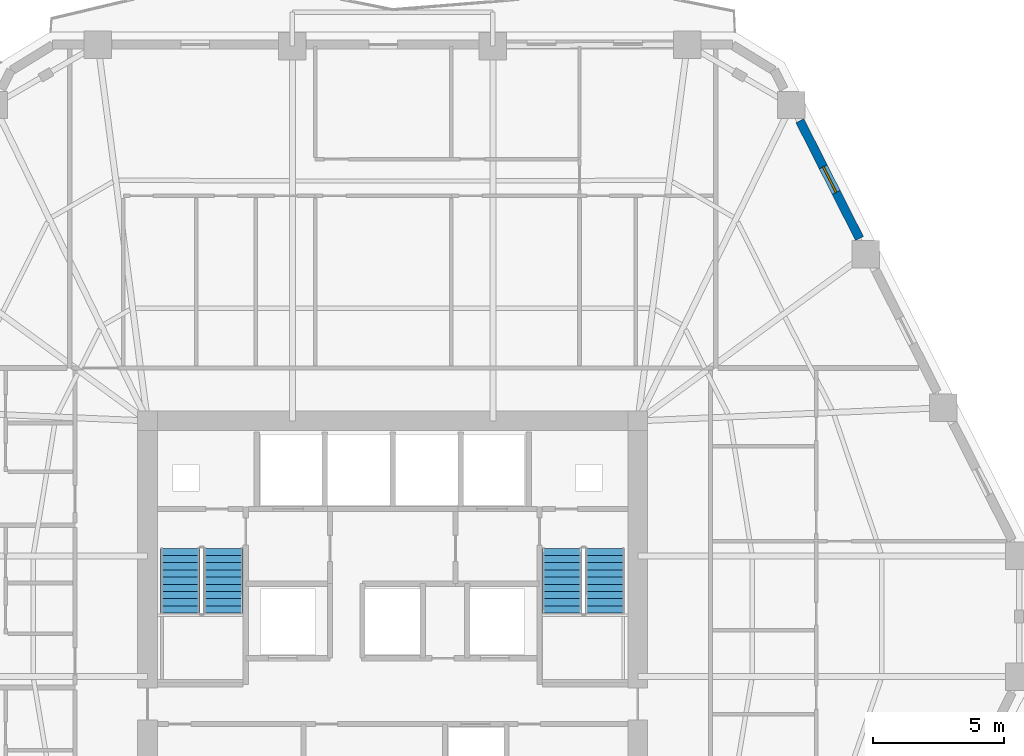
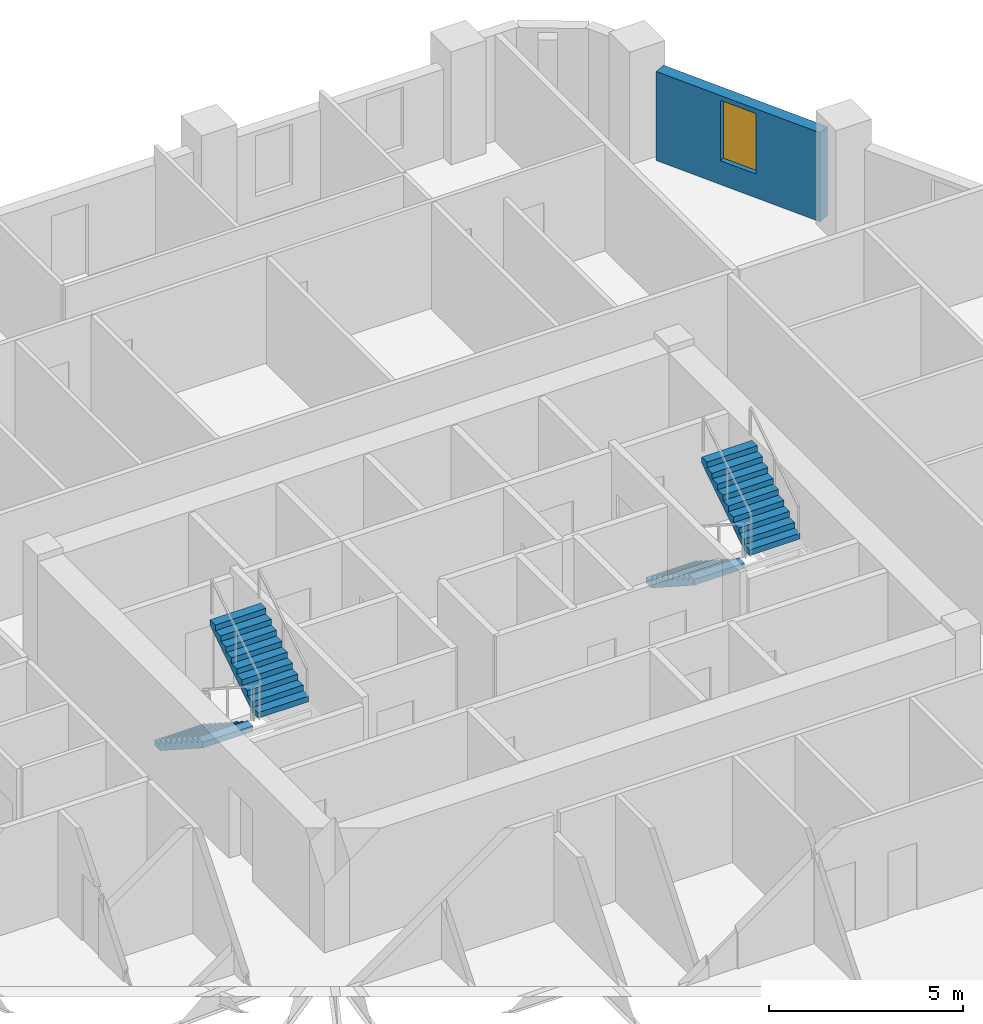
# One storey, part 8 of 10: 4 stair flights, 1 wall, 1 window, 1 opening, 2 elements without a shape of their own.
"""IFC4 building model written with IfcOpenShell, lengths in metres."""

import ifcopenshell
import ifcopenshell.guid

model = None  # the IFC model being written
_history = None  # IfcOwnerHistory: only IFC2X3 demands one
_inside = {}  # id of a spatial element -> (the spatial element, [elements in it])
_under = {}  # id of a project, library or spatial element -> (it, [spatial elements below it])
_declared = {}  # id of a project -> (the project, [libraries it declares])
_typed = {}  # id of a type object -> (the type object, [elements of that type])
_made_of = {}  # id of a material, layer set ... -> (it, [elements and type objects made of it])


def new_model(schema):
    """Start an empty IFC model of exactly this schema.

    Asked for "IFC4X3", IfcOpenShell would pick the latest addendum, in which some entities
    have other attributes; the version numbers below select the first issue.
    IFC2X3 requires an IfcOwnerHistory on every rooted entity: one is made here for all.
    """
    global model, _history
    if schema == "IFC4X3":
        model = ifcopenshell.file(schema_version=(4, 3, 0, 0))
    else:
        model = ifcopenshell.file(schema=schema)
    _inside.clear()
    _under.clear()
    _declared.clear()
    _typed.clear()
    _made_of.clear()
    _history = None
    if model.schema == "IFC2X3":
        org = make("IfcOrganization", Name="unknown")
        user = make(
            "IfcPersonAndOrganization",
            ThePerson=make("IfcPerson", FamilyName="unknown"),
            TheOrganization=org,
        )
        app = make(
            "IfcApplication",
            ApplicationDeveloper=org,
            Version="unknown",
            ApplicationFullName="unknown",
            ApplicationIdentifier="unknown",
        )
        _history = make(
            "IfcOwnerHistory",
            OwningUser=user,
            OwningApplication=app,
            ChangeAction="ADDED",
            CreationDate=0,
        )
    return model


def make(cls, **values):
    """One entity of the class cls with the attributes given. An attribute that is None is left unset."""
    return model.create_entity(
        cls, **{name: value for name, value in values.items() if value is not None}
    )


def rooted(cls, **values):
    """An entity with a GlobalId (a new one), such as an element, a storey or a relation."""
    return make(cls, GlobalId=ifcopenshell.guid.new(), OwnerHistory=_history, **values)


def si_unit(unit_type, name, prefix=None):
    """IfcSIUnit, for example si_unit("LENGTHUNIT", "METRE", prefix="MILLI")."""
    return make("IfcSIUnit", UnitType=unit_type, Prefix=prefix, Name=name)


def assignment(units):
    """IfcUnitAssignment: the units of a project."""
    return None if units is None else make("IfcUnitAssignment", Units=units)


def point(xyz):
    """IfcCartesianPoint."""
    return None if xyz is None else make("IfcCartesianPoint", Coordinates=xyz)


def direction(xyz):
    """IfcDirection."""
    return None if xyz is None else make("IfcDirection", DirectionRatios=xyz)


def frame(location, z_axis=None, x_axis=None):
    """IfcAxis2Placement3D, a coordinate frame: its origin and axes. An axis left out is left unset."""
    return make(
        "IfcAxis2Placement3D",
        Location=point(location),
        Axis=direction(z_axis),
        RefDirection=direction(x_axis),
    )


def frame_2d(location, x_axis=None):
    """IfcAxis2Placement2D, a coordinate frame in the plane: its origin and x axis."""
    return make(
        "IfcAxis2Placement2D", Location=point(location), RefDirection=direction(x_axis)
    )


def origin():
    """The frame at (0, 0, 0) with its axes left unset."""
    return frame((0.0, 0.0, 0.0))


def place(relative_to, where):
    """IfcLocalPlacement: puts the frame where relative to a parent placement (None: the world)."""
    return make(
        "IfcLocalPlacement", PlacementRelTo=relative_to, RelativePlacement=where
    )


def context(
    kind, dimensions, precision=None, world=None, true_north=None, identifier=None
):
    """IfcGeometricRepresentationContext, for example the 3D "Model" context."""
    return make(
        "IfcGeometricRepresentationContext",
        ContextIdentifier=identifier,
        ContextType=kind,
        CoordinateSpaceDimension=dimensions,
        Precision=precision,
        WorldCoordinateSystem=world,
        TrueNorth=true_north,
    )


def subcontext(parent, identifier, kind, view, scale=None):
    """IfcGeometricRepresentationSubContext, for example "Body" below "Model"."""
    return make(
        "IfcGeometricRepresentationSubContext",
        ContextIdentifier=identifier,
        ContextType=kind,
        ParentContext=parent,
        TargetScale=scale,
        TargetView=view,
    )


def project(units=None, contexts=None):
    """IfcProject with its units and contexts."""
    return rooted(
        "IfcProject",
        Name="project",
        RepresentationContexts=contexts,
        UnitsInContext=assignment(units),
    )


def spatial(cls, under=None, at=None, **own):
    """A site, building, storey or space (cls), placed at a placement, below another one or the project."""
    s = rooted(cls, ObjectPlacement=at, **own)
    if under is not None:
        _under.setdefault(under.id(), (under, []))[1].append(s)
    return s


def polyline(points):
    """IfcPolyline through the points."""
    return make("IfcPolyline", Points=[point(p) for p in points])


def profile(cls, at=None, kind="AREA", **sizes):
    """A parametric profile (cls). Its sizes go by their IFC names, for example OverallWidth=200.0."""
    return make(cls, ProfileType=kind, Position=at, **sizes)


def rectangle(**sizes):
    """IfcRectangleProfileDef."""
    return profile("IfcRectangleProfileDef", **sizes)


def outline(outer, holes=None, kind="AREA"):
    """IfcArbitraryClosedProfileDef: a profile drawn as a closed curve; with holes, ...WithVoids."""
    if holes is None:
        return make("IfcArbitraryClosedProfileDef", ProfileType=kind, OuterCurve=outer)
    return make(
        "IfcArbitraryProfileDefWithVoids",
        ProfileType=kind,
        OuterCurve=outer,
        InnerCurves=holes,
    )


def extrude(swept, where, along, depth):
    """IfcExtrudedAreaSolid: the profile swept, set in the frame where, extruded along a direction by depth."""
    return make(
        "IfcExtrudedAreaSolid",
        SweptArea=swept,
        Position=where,
        ExtrudedDirection=direction(along),
        Depth=depth,
    )


def shape(context_of_items, identifier, shape_type, items):
    """IfcShapeRepresentation: the items that make up one representation, for example the "Body"."""
    return make(
        "IfcShapeRepresentation",
        ContextOfItems=context_of_items,
        RepresentationIdentifier=identifier,
        RepresentationType=shape_type,
        Items=items,
    )


def material(Name=None, Category=None):
    """IfcMaterial."""
    return make("IfcMaterial", Name=Name, Category=Category)


def layer(
    of_material, thickness, ventilated=None, Name=None, Category=None, Priority=None
):
    """IfcMaterialLayer: one layer of a wall or slab, of a material (None: an air gap)."""
    return make(
        "IfcMaterialLayer",
        Material=of_material,
        LayerThickness=thickness,
        IsVentilated=ventilated,
        Name=Name,
        Category=Category,
        Priority=Priority,
    )


def layer_set(layers, Name=None):
    """IfcMaterialLayerSet."""
    return make("IfcMaterialLayerSet", MaterialLayers=layers, LayerSetName=Name)


def made_of(thing, what):
    """Note that an element or type object is made of a material, layer set ...; save() writes the relation."""
    if what is not None:
        _made_of.setdefault(what.id(), (what, []))[1].append(thing)
    return thing


def type_object(cls, material=None, **own):
    """A type object (cls), such as IfcWallType, which elements share."""
    return made_of(rooted(cls, **own), material)


def element(
    cls,
    number,
    at=None,
    inside=None,
    cuts=None,
    type_object=None,
    material=None,
    context=None,
    identifier="Body",
    shape_type=None,
    held_by="IfcProductDefinitionShape",
    body=None,
    shapes=None,
    **own,
):
    """One element of the class cls, such as IfcWall. Its Tag is "e" and its number.

    at: its placement. inside: the storey or other place that contains it. cuts: it is an
    opening in that element (IfcRelVoidsElement). A single representation is given by context,
    identifier, shape_type and body (its items); several are given by shapes. held_by: the class
    of the entity that holds the representations. save() writes the other relations.
    """
    e = rooted(cls, Tag="e%d" % number, ObjectPlacement=at, **own)
    if body is not None:
        shapes = [shape(context, identifier, shape_type, body)]
    if shapes is not None:
        e.Representation = make(held_by, Representations=shapes)
    if inside is not None:
        _inside.setdefault(inside.id(), (inside, []))[1].append(e)
    if cuts is not None:
        rooted(
            "IfcRelVoidsElement", RelatingBuildingElement=cuts, RelatedOpeningElement=e
        )
    if type_object is not None:
        _typed.setdefault(type_object.id(), (type_object, []))[1].append(e)
    return made_of(e, material)


def fill(opening, filler):
    """IfcRelFillsElement: the door or window that sits in an opening."""
    return rooted(
        "IfcRelFillsElement",
        RelatingOpeningElement=opening,
        RelatedBuildingElement=filler,
    )


def aggregate(whole, parts):
    """IfcRelAggregates: a whole, such as a stair, and the parts it consists of."""
    return rooted("IfcRelAggregates", RelatingObject=whole, RelatedObjects=parts)


def save(model, path):
    """Write the relations noted so far, then the file.

    IfcRelAggregates (storeys below a building ...), IfcRelContainedInSpatialStructure (elements
    in a storey), IfcRelDefinesByType, IfcRelAssociatesMaterial and IfcRelDeclares: one each for
    every whole, place, type object, material and project.
    """
    for whole, parts in _under.values():
        aggregate(whole, parts)
    for where, things in _inside.values():
        rooted(
            "IfcRelContainedInSpatialStructure",
            RelatedElements=things,
            RelatingStructure=where,
        )
    for kind, things in _typed.values():
        rooted("IfcRelDefinesByType", RelatedObjects=things, RelatingType=kind)
    for what, things in _made_of.values():
        rooted("IfcRelAssociatesMaterial", RelatedObjects=things, RelatingMaterial=what)
    for by, libraries in _declared.values():
        rooted("IfcRelDeclares", RelatingContext=by, RelatedDefinitions=libraries)
    model.write(path)


model = new_model("IFC4")

# Units and contexts
model_context = context("Model", 3, precision=1e-05, world=origin(), true_north=direction((0.0, 1.0)))
body_context = subcontext(model_context, "Body", "Model", "MODEL_VIEW")
ifc_project = project(units=[si_unit("LENGTHUNIT", "METRE"), si_unit("AREAUNIT", "SQUARE_METRE"), si_unit("VOLUMEUNIT", "CUBIC_METRE"), si_unit("PLANEANGLEUNIT", "RADIAN"), si_unit("MASSUNIT", "GRAM", prefix="KILO")], contexts=[model_context])

# Site, building, storey
site_placement = place(None, origin())
site = spatial("IfcSite", under=ifc_project, at=site_placement, CompositionType="ELEMENT")
building_placement = place(site_placement, origin())
building = spatial("IfcBuilding", under=site, at=building_placement, Name="Cinnabar Lancet Tower", CompositionType="ELEMENT")
storey_placement = place(building_placement, frame((0.0, 0.0, 116.14990234375)))
storey = spatial("IfcBuildingStorey", under=building, at=storey_placement, Name="L30", CompositionType="ELEMENT", Elevation=116.14990234375)

# Wall, opening, window
ifc_material_1 = material(Name="Cinnabar red clay brick", Category="masonry")
ifc_layer = layer(ifc_material_1, 0.340087890625)
ifc_layer_set = layer_set([ifc_layer], Name="Cinnabar red clay brick")
wall_type = type_object("IfcWallType", Name="ENV-WL-BRK-RED-340", PredefinedType="STANDARD", material=ifc_layer_set)
wall_placement = place(storey_placement, frame((50.2509765625, 40.2509765625, 0.0), z_axis=(0.0, 0.0, 1.0), x_axis=(-0.451548465867, 0.892246593142, 0.0)))
wall = element("IfcWall", 1, at=wall_placement, inside=storey, type_object=wall_type, Name="L30 Face 3 Masonry Bay Wall 4", PredefinedType="STANDARD", context=body_context, shape_type="SweptSolid", body=[
    extrude(rectangle(XDim=5.040283203125, YDim=0.340087890625, at=frame_2d((2.52001953125, 0.0))), origin(), (0.0, 0.0, 1.0), 2.797119140625),
])
opening_placement = place(wall_placement, frame((1.969970703125, 0.0, 0.75)))
opening = element("IfcOpeningElement", 2, at=opening_placement, cuts=wall, Name="Opening WN-04", PredefinedType="OPENING", context=body_context, shape_type="SweptSolid", body=[
    extrude(rectangle(XDim=1.10009765625, YDim=1.89697265625, at=frame_2d((0.550048828125, 0.948486328125))), frame((0.0, 0.179931640625, 0.0), z_axis=(0.0, -1.0, 0.0), x_axis=(1.0, 0.0, 0.0)), (0.0, 0.0, 1.0), 0.360107421875),
])
ifc_material_2 = material(Name="Thermally broken bronze-anodized aluminium tall lancet window", Category="aluminium")
window_type = type_object("IfcWindowType", Name="ENV-WN-LANCET-1100", PartitioningType="SINGLE_PANEL", PredefinedType="WINDOW", material=ifc_material_2)
window_placement = place(opening_placement, origin())
window = element("IfcWindow", 3, at=window_placement, inside=storey, type_object=window_type, Name="L30 Face 3 Gothic Lancet Window 4", OverallHeight=1.89697265625, OverallWidth=1.10009765625, PartitioningType="SINGLE_PANEL", PredefinedType="WINDOW", context=body_context, shape_type="SweptSolid", body=[
    extrude(rectangle(XDim=1.10009765625, YDim=1.89697265625, at=frame_2d((0.550048828125, 0.948486328125))), frame((0.0, 0.030029296875, 0.0), z_axis=(0.0, -1.0, 0.0), x_axis=(1.0, 0.0, 0.0)), (0.0, 0.0, 1.0), 0.06005859375),
])
fill(opening, window)

# Stair, stair flights
ifc_material_3 = material(Name="Concrete C40/50", Category="concrete")
stair_type = type_object("IfcStairType", Name="ST-CORE", PredefinedType="HALF_TURN_STAIR", material=ifc_material_3)
stair_1_placement = place(storey_placement, origin())
stair_1 = element("IfcStair", 4, at=stair_1_placement, inside=storey, type_object=stair_type, Name="L30 ST-1", PredefinedType="HALF_TURN_STAIR")
ifc_material_4 = material(Name="Concrete C40/50", Category="concrete")
stair_flight_type = type_object("IfcStairFlightType", Name="FLIGHT-CORE", PredefinedType="STRAIGHT", material=ifc_material_4)
stair_flight_1_placement = place(storey_placement, frame((24.27490234375, 28.39990234375, 0.0), z_axis=(0.0, 0.0, 1.0), x_axis=(0.0, -1.0, 0.0)))
stair_flight_1 = element("IfcStairFlight", 5, at=stair_flight_1_placement, type_object=stair_flight_type, Name="ST-1 flight 1", NumberOfRisers=10, NumberOfTreads=9, PredefinedType="STRAIGHT", RiserHeight=0.1775, TreadLength=0.275, context=body_context, shape_type="SweptSolid", body=[
    extrude(outline(polyline([(0.0, 0.0), (0.0, 0.177490234375), (0.27490234375, 0.177490234375), (0.27490234375, 0.35498046875), (0.550048828125, 0.35498046875), (0.550048828125, 0.532470703125), (0.824951171875, 0.532470703125), (0.824951171875, 0.7099609375), (1.10009765625, 0.7099609375), (1.10009765625, 0.887451171875), (1.375, 0.887451171875), (1.375, 1.06494140625), (1.64990234375, 1.06494140625), (1.64990234375, 1.242431640625), (1.925048828125, 1.242431640625), (1.925048828125, 1.419921875), (2.199951171875, 1.419921875), (2.199951171875, 1.597412109375), (2.47509765625, 1.597412109375), (2.47509765625, 1.77490234375), (2.47509765625, 1.419189453125), (0.2763671875, 0.0), (0.0, 0.0)])), frame((0.0, 0.75, 0.0), z_axis=(0.0, -1.0, 0.0), x_axis=(1.0, 0.0, 0.0)), (0.0, 0.0, 1.0), 1.5),
])
stair_flight_2_placement = place(storey_placement, frame((25.925048828125, 25.925048828125, 1.775146484375), z_axis=(0.0, 0.0, 1.0), x_axis=(0.0, 1.0, 0.0)))
stair_flight_2 = element("IfcStairFlight", 6, at=stair_flight_2_placement, type_object=stair_flight_type, Name="ST-1 flight 2", NumberOfRisers=10, NumberOfTreads=9, PredefinedType="STRAIGHT", RiserHeight=0.1775, TreadLength=0.275, context=body_context, shape_type="SweptSolid", body=[
    extrude(outline(polyline([(0.0, 0.0), (0.0, 0.177490234375), (0.27490234375, 0.177490234375), (0.27490234375, 0.35498046875), (0.550048828125, 0.35498046875), (0.550048828125, 0.532470703125), (0.824951171875, 0.532470703125), (0.824951171875, 0.7099609375), (1.10009765625, 0.7099609375), (1.10009765625, 0.887451171875), (1.375, 0.887451171875), (1.375, 1.06494140625), (1.64990234375, 1.06494140625), (1.64990234375, 1.242431640625), (1.925048828125, 1.242431640625), (1.925048828125, 1.419921875), (2.199951171875, 1.419921875), (2.199951171875, 1.597412109375), (2.47509765625, 1.597412109375), (2.47509765625, 1.77490234375), (2.47509765625, 1.419189453125), (0.2763671875, 0.0), (0.0, 0.0)])), frame((0.0, 0.75, 0.0), z_axis=(0.0, -1.0, 0.0), x_axis=(1.0, 0.0, 0.0)), (0.0, 0.0, 1.0), 1.5),
])
aggregate(stair_1, [stair_flight_1, stair_flight_2])

stair_2_placement = place(storey_placement, origin())
stair_2 = element("IfcStair", 7, at=stair_2_placement, inside=storey, type_object=stair_type, Name="L30 ST-2", PredefinedType="HALF_TURN_STAIR")
stair_flight_3_placement = place(storey_placement, frame((38.875, 28.39990234375, 0.0), z_axis=(0.0, 0.0, 1.0), x_axis=(0.0, -1.0, 0.0)))
stair_flight_3 = element("IfcStairFlight", 8, at=stair_flight_3_placement, type_object=stair_flight_type, Name="ST-2 flight 1", NumberOfRisers=10, NumberOfTreads=9, PredefinedType="STRAIGHT", RiserHeight=0.1775, TreadLength=0.275, context=body_context, shape_type="SweptSolid", body=[
    extrude(outline(polyline([(0.0, 0.0), (0.0, 0.177490234375), (0.27490234375, 0.177490234375), (0.27490234375, 0.35498046875), (0.550048828125, 0.35498046875), (0.550048828125, 0.532470703125), (0.824951171875, 0.532470703125), (0.824951171875, 0.7099609375), (1.10009765625, 0.7099609375), (1.10009765625, 0.887451171875), (1.375, 0.887451171875), (1.375, 1.06494140625), (1.64990234375, 1.06494140625), (1.64990234375, 1.242431640625), (1.925048828125, 1.242431640625), (1.925048828125, 1.419921875), (2.199951171875, 1.419921875), (2.199951171875, 1.597412109375), (2.47509765625, 1.597412109375), (2.47509765625, 1.77490234375), (2.47509765625, 1.419189453125), (0.2763671875, 0.0), (0.0, 0.0)])), frame((0.0, 0.75, 0.0), z_axis=(0.0, -1.0, 0.0), x_axis=(1.0, 0.0, 0.0)), (0.0, 0.0, 1.0), 1.5),
])
stair_flight_4_placement = place(storey_placement, frame((40.52490234375, 25.925048828125, 1.775146484375), z_axis=(0.0, 0.0, 1.0), x_axis=(0.0, 1.0, 0.0)))
stair_flight_4 = element("IfcStairFlight", 9, at=stair_flight_4_placement, type_object=stair_flight_type, Name="ST-2 flight 2", NumberOfRisers=10, NumberOfTreads=9, PredefinedType="STRAIGHT", RiserHeight=0.1775, TreadLength=0.275, context=body_context, shape_type="SweptSolid", body=[
    extrude(outline(polyline([(0.0, 0.0), (0.0, 0.177490234375), (0.27490234375, 0.177490234375), (0.27490234375, 0.35498046875), (0.550048828125, 0.35498046875), (0.550048828125, 0.532470703125), (0.824951171875, 0.532470703125), (0.824951171875, 0.7099609375), (1.10009765625, 0.7099609375), (1.10009765625, 0.887451171875), (1.375, 0.887451171875), (1.375, 1.06494140625), (1.64990234375, 1.06494140625), (1.64990234375, 1.242431640625), (1.925048828125, 1.242431640625), (1.925048828125, 1.419921875), (2.199951171875, 1.419921875), (2.199951171875, 1.597412109375), (2.47509765625, 1.597412109375), (2.47509765625, 1.77490234375), (2.47509765625, 1.419189453125), (0.2763671875, 0.0), (0.0, 0.0)])), frame((0.0, 0.75, 0.0), z_axis=(0.0, -1.0, 0.0), x_axis=(1.0, 0.0, 0.0)), (0.0, 0.0, 1.0), 1.5),
])
aggregate(stair_2, [stair_flight_3, stair_flight_4])

save(model, "model.ifc")
